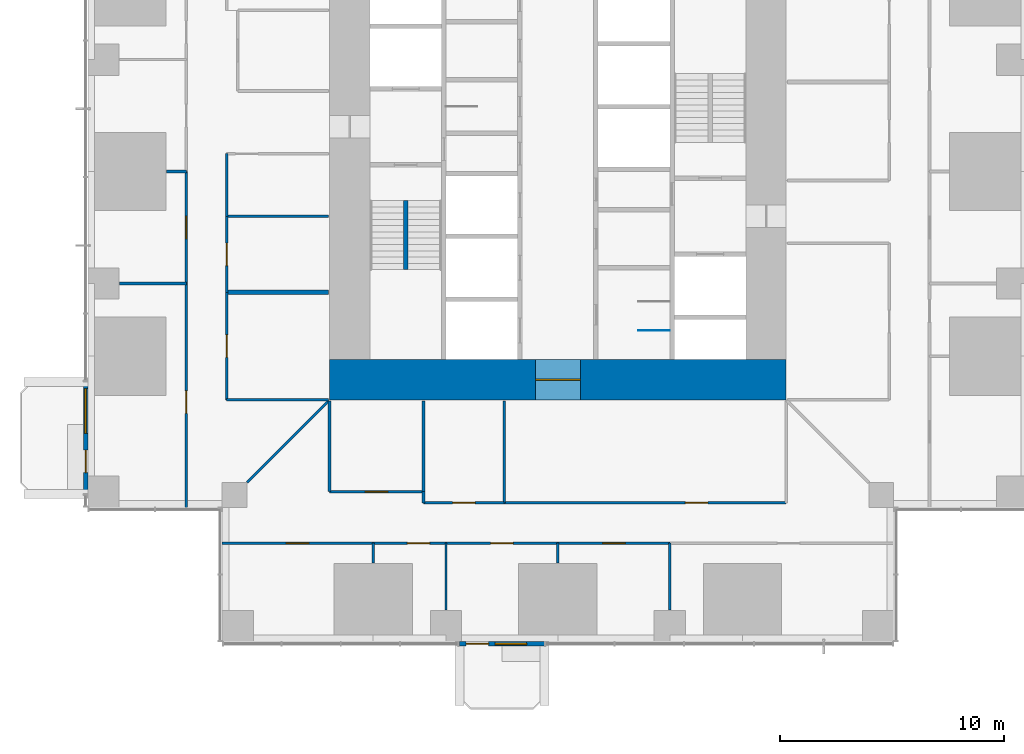
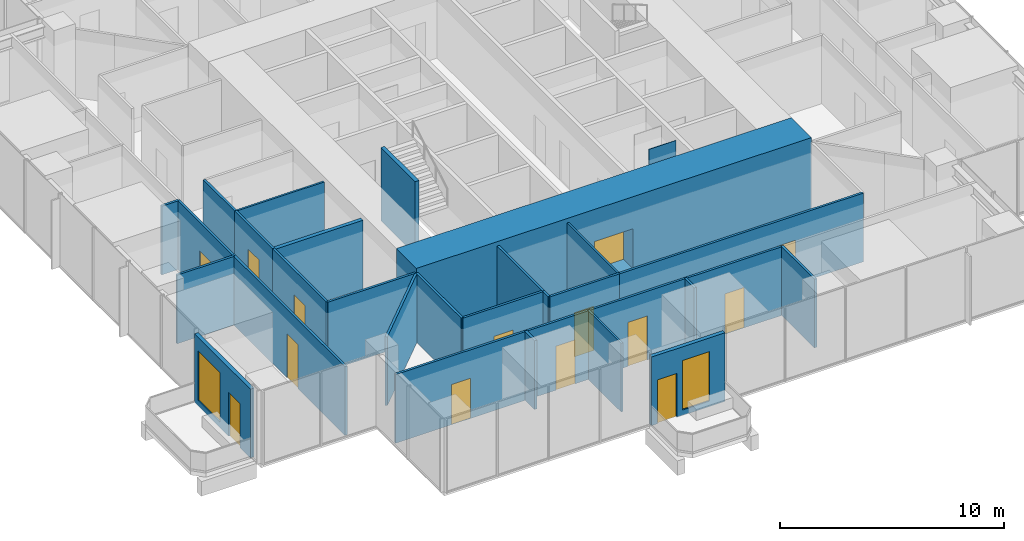
# One storey, part 11 of 18: 31 walls, 14 doors, 2 windows, 16 openings.
"""IFC4 building model written with IfcOpenShell, lengths in metres."""

from ifc_helpers import new_model, si_unit, direction, frame, frame_2d, origin, place, context, subcontext, project, spatial, rectangle, extrude, material, layer, layer_set, type_object, element, fill, save


model = new_model("IFC4")

# Units and contexts
model_context = context("Model", 3, precision=1e-05, world=origin(), true_north=direction((0.0, 1.0)))
body_context = subcontext(model_context, "Body", "Model", "MODEL_VIEW")
ifc_project = project(units=[si_unit("LENGTHUNIT", "METRE"), si_unit("AREAUNIT", "SQUARE_METRE"), si_unit("VOLUMEUNIT", "CUBIC_METRE"), si_unit("PLANEANGLEUNIT", "RADIAN"), si_unit("MASSUNIT", "GRAM", prefix="KILO")], contexts=[model_context])

# Site, building, storey
site_placement = place(None, origin())
site = spatial("IfcSite", under=ifc_project, at=site_placement, CompositionType="ELEMENT")
building_placement = place(site_placement, origin())
building = spatial("IfcBuilding", under=site, at=building_placement, Name="Svetlomir Tower", CompositionType="ELEMENT")
storey_placement = place(building_placement, frame((0.0, 0.0, 78.5)))
storey = spatial("IfcBuildingStorey", under=building, at=storey_placement, Name="L18", CompositionType="ELEMENT", Elevation=78.5)

# Wall
ifc_material_1 = material(Name="Gypsum board on twin steel studs", Category="steel")
ifc_layer_1 = layer(ifc_material_1, 0.199951171875)
ifc_layer_set_1 = layer_set([ifc_layer_1], Name="Gypsum board on twin steel studs")
wall_type_1 = type_object("IfcWallType", Name="ACOUSTIC PARTITION 200", PredefinedType="PARTITIONING", material=ifc_layer_set_1)
wall_1_placement = place(storey_placement, frame((6.199951171875, 15.60009765625, 0.0), z_axis=(0.0, 0.0, 1.0), x_axis=(1.0, 0.0, 0.0)))
element("IfcWall", 1, at=wall_1_placement, inside=storey, type_object=wall_type_1, Name="Acoustic partition L18", PredefinedType="PARTITIONING", context=body_context, shape_type="SweptSolid", body=[
    extrude(rectangle(XDim=4.550048828125, YDim=0.199951171875, at=frame_2d((2.27490234375, 0.0))), origin(), (0.0, 0.0, 1.0), 3.75),
])

# Wall, openings, door, window
ifc_material_2 = material(Name="Bronze anodised aluminium glazed screen", Category="aluminium")
ifc_layer_2 = layer(ifc_material_2, 0.199951171875)
ifc_layer_set_2 = layer_set([ifc_layer_2], Name="Bronze anodised aluminium glazed screen")
wall_type_2 = type_object("IfcWallType", Name="BALCONY SCREEN WALL 200", PredefinedType="USERDEFINED", material=ifc_layer_set_2)
wall_2_placement = place(storey_placement, frame((16.60009765625, -0.10009765625, 0.0), z_axis=(0.0, 0.0, 1.0), x_axis=(1.0, 0.0, 0.0)))
wall_2 = element("IfcWall", 2, at=wall_2_placement, inside=storey, type_object=wall_type_2, Name="Balcony screen S", ObjectType="GLAZED SCREEN", PredefinedType="USERDEFINED", context=body_context, shape_type="SweptSolid", body=[
    extrude(rectangle(XDim=3.7998046875, YDim=0.199951171875, at=frame_2d((1.89990234375, 0.0))), origin(), (0.0, 0.0, 1.0), 3.75),
])
opening_1_placement = place(wall_2_placement, frame((0.300048828125, 0.0, 0.0)))
opening_1 = element("IfcOpeningElement", 3, at=opening_1_placement, cuts=wall_2, Name="Opening BD", PredefinedType="OPENING", context=body_context, shape_type="SweptSolid", body=[
    extrude(rectangle(XDim=1.0, YDim=2.39990234375, at=frame_2d((0.5, 1.199951171875))), frame((0.0, 0.10986328125, 0.0), z_axis=(0.0, -1.0, 0.0), x_axis=(1.0, 0.0, 0.0)), (0.0, 0.0, 1.0), 0.219970703125),
])
opening_2_placement = place(wall_2_placement, frame((1.60009765625, 0.0, 0.300048828125)))
opening_2 = element("IfcOpeningElement", 4, at=opening_2_placement, cuts=wall_2, Name="Opening WS2", PredefinedType="OPENING", context=body_context, shape_type="SweptSolid", body=[
    extrude(rectangle(XDim=1.39990234375, YDim=2.699951171875, at=frame_2d((0.699951171875, 1.35009765625))), frame((0.0, 0.10986328125, 0.0), z_axis=(0.0, -1.0, 0.0), x_axis=(1.0, 0.0, 0.0)), (0.0, 0.0, 1.0), 0.219970703125),
])
ifc_material_3 = material(Name="Bronze anodised aluminium glazed door", Category="aluminium")
door_type_1 = type_object("IfcDoorType", Name="BALCONY DOOR BD 1000x2400", OperationType="SINGLE_SWING_LEFT", PredefinedType="DOOR", material=ifc_material_3)
door_1_placement = place(opening_1_placement, origin())
door_1 = element("IfcDoor", 5, at=door_1_placement, inside=storey, type_object=door_type_1, Name="Balcony screen S door", OperationType="SINGLE_SWING_LEFT", OverallHeight=2.39990234375, OverallWidth=1.0, PredefinedType="DOOR", context=body_context, shape_type="SweptSolid", body=[
    extrude(rectangle(XDim=1.0, YDim=2.39990234375, at=frame_2d((0.5, 1.199951171875))), frame((0.0, 0.02490234375, 0.0), z_axis=(0.0, -1.0, 0.0), x_axis=(1.0, 0.0, 0.0)), (0.0, 0.0, 1.0), 0.050048828125),
])
fill(opening_1, door_1)
ifc_material_4 = material(Name="Bronze anodised aluminium window", Category="aluminium")
window_type_1 = type_object("IfcWindowType", Name="SCREEN WINDOW WS2 1400x2700", PartitioningType="SINGLE_PANEL", PredefinedType="WINDOW", material=ifc_material_4)
window_1_placement = place(opening_2_placement, origin())
window_1 = element("IfcWindow", 6, at=window_1_placement, inside=storey, type_object=window_type_1, Name="Balcony screen S window 1", OverallHeight=2.699951171875, OverallWidth=1.39990234375, PartitioningType="SINGLE_PANEL", PredefinedType="WINDOW", context=body_context, shape_type="SweptSolid", body=[
    extrude(rectangle(XDim=1.39990234375, YDim=2.699951171875, at=frame_2d((0.699951171875, 1.35009765625))), frame((0.0, 0.030029296875, 0.0), z_axis=(0.0, -1.0, 0.0), x_axis=(1.0, 0.0, 0.0)), (0.0, 0.0, 1.0), 0.06005859375),
])
fill(opening_2, window_1)

wall_3_placement = place(storey_placement, frame((-0.10009765625, 11.60009765625, 0.0), z_axis=(0.0, 0.0, 1.0), x_axis=(0.0, -1.0, 0.0)))
wall_3 = element("IfcWall", 7, at=wall_3_placement, inside=storey, type_object=wall_type_2, Name="Balcony screen W", ObjectType="GLAZED SCREEN", PredefinedType="USERDEFINED", context=body_context, shape_type="SweptSolid", body=[
    extrude(rectangle(XDim=5.0, YDim=0.199951171875, at=frame_2d((2.5, 0.0))), origin(), (0.0, 0.0, 1.0), 3.75),
])
opening_3_placement = place(wall_3_placement, frame((3.050048828125, 0.0, 0.0)))
opening_3 = element("IfcOpeningElement", 8, at=opening_3_placement, cuts=wall_3, Name="Opening BD", PredefinedType="OPENING", context=body_context, shape_type="SweptSolid", body=[
    extrude(rectangle(XDim=1.0, YDim=2.39990234375, at=frame_2d((0.5, 1.199951171875))), frame((0.0, 0.10986328125, 0.0), z_axis=(0.0, -1.0, 0.0), x_axis=(1.0, 0.0, 0.0)), (0.0, 0.0, 1.0), 0.219970703125),
])
opening_4_placement = place(wall_3_placement, frame((0.300048828125, 0.0, 0.300048828125)))
opening_4 = element("IfcOpeningElement", 9, at=opening_4_placement, cuts=wall_3, Name="Opening WS", PredefinedType="OPENING", context=body_context, shape_type="SweptSolid", body=[
    extrude(rectangle(XDim=2.0, YDim=2.699951171875, at=frame_2d((1.0, 1.35009765625))), frame((0.0, 0.10986328125, 0.0), z_axis=(0.0, -1.0, 0.0), x_axis=(1.0, 0.0, 0.0)), (0.0, 0.0, 1.0), 0.219970703125),
])
door_2_placement = place(opening_3_placement, origin())
door_2 = element("IfcDoor", 10, at=door_2_placement, inside=storey, type_object=door_type_1, Name="Balcony screen W door", OperationType="SINGLE_SWING_LEFT", OverallHeight=2.39990234375, OverallWidth=1.0, PredefinedType="DOOR", context=body_context, shape_type="SweptSolid", body=[
    extrude(rectangle(XDim=1.0, YDim=2.39990234375, at=frame_2d((0.5, 1.199951171875))), frame((0.0, 0.02490234375, 0.0), z_axis=(0.0, -1.0, 0.0), x_axis=(1.0, 0.0, 0.0)), (0.0, 0.0, 1.0), 0.050048828125),
])
fill(opening_3, door_2)
ifc_material_5 = material(Name="Bronze anodised aluminium window", Category="aluminium")
window_type_2 = type_object("IfcWindowType", Name="SCREEN WINDOW WS 2000x2700", PartitioningType="SINGLE_PANEL", PredefinedType="WINDOW", material=ifc_material_5)
window_2_placement = place(opening_4_placement, origin())
window_2 = element("IfcWindow", 11, at=window_2_placement, inside=storey, type_object=window_type_2, Name="Balcony screen W window 1", OverallHeight=2.699951171875, OverallWidth=2.0, PartitioningType="SINGLE_PANEL", PredefinedType="WINDOW", context=body_context, shape_type="SweptSolid", body=[
    extrude(rectangle(XDim=2.0, YDim=2.699951171875, at=frame_2d((1.0, 1.35009765625))), frame((0.0, 0.030029296875, 0.0), z_axis=(0.0, -1.0, 0.0), x_axis=(1.0, 0.0, 0.0)), (0.0, 0.0, 1.0), 0.06005859375),
])
fill(opening_4, window_2)

# Wall, opening, door
ifc_material_6 = material(Name="Concrete C60/75", Category="concrete")
ifc_layer_3 = layer(ifc_material_6, 1.800048828125)
ifc_layer_set_3 = layer_set([ifc_layer_3], Name="Concrete C60/75")
wall_type_3 = type_object("IfcWallType", Name="CORE WALL 1800", PredefinedType="SHEAR", material=ifc_layer_set_3)
wall_4_placement = place(storey_placement, frame((10.800048828125, 11.699951171875, -0.050048828125), z_axis=(0.0, 0.0, 1.0), x_axis=(1.0, 0.0, 0.0)))
wall_4 = element("IfcWall", 12, at=wall_4_placement, inside=storey, type_object=wall_type_3, Name="Core wall south L18", PredefinedType="SHEAR", context=body_context, shape_type="SweptSolid", body=[
    extrude(rectangle(XDim=20.39990234375, YDim=1.800048828125, at=frame_2d((10.199951171875, 0.0))), origin(), (0.0, 0.0, 1.0), 4.0),
])
opening_5_placement = place(wall_4_placement, frame((9.199951171875, 0.0, 0.050048828125)))
opening_5 = element("IfcOpeningElement", 13, at=opening_5_placement, cuts=wall_4, Name="Opening DL", PredefinedType="OPENING", context=body_context, shape_type="SweptSolid", body=[
    extrude(rectangle(XDim=2.0, YDim=2.199951171875, at=frame_2d((1.0, 1.10009765625))), frame((0.0, 0.91015625, 0.0), z_axis=(0.0, -1.0, 0.0), x_axis=(1.0, 0.0, 0.0)), (0.0, 0.0, 1.0), 1.820068359375),
])
ifc_material_7 = material(Name="Steel fire door", Category="steel")
door_type_2 = type_object("IfcDoorType", Name="DOOR DL 2000x2200", OperationType="DOUBLE_DOOR_SINGLE_SWING", PredefinedType="DOOR", material=ifc_material_7)
door_3_placement = place(opening_5_placement, origin())
door_3 = element("IfcDoor", 14, at=door_3_placement, inside=storey, type_object=door_type_2, Name="Lift lobby south door L18", OperationType="DOUBLE_DOOR_SINGLE_SWING", OverallHeight=2.199951171875, OverallWidth=2.0, PredefinedType="DOOR", context=body_context, shape_type="SweptSolid", body=[
    extrude(rectangle(XDim=2.0, YDim=2.199951171875, at=frame_2d((1.0, 1.10009765625))), frame((0.0, 0.02490234375, 0.0), z_axis=(0.0, -1.0, 0.0), x_axis=(1.0, 0.0, 0.0)), (0.0, 0.0, 1.0), 0.050048828125),
])
fill(opening_5, door_3)

# Walls
ifc_material_8 = material(Name="Framed laminated glass partition", Category="glass")
ifc_layer_4 = layer(ifc_material_8, 0.10009765625)
ifc_layer_set_4 = layer_set([ifc_layer_4], Name="Framed laminated glass partition")
wall_type_4 = type_object("IfcWallType", Name="GLAZED PARTITION 100", PredefinedType="PARTITIONING", material=ifc_layer_set_4)
wall_5_placement = place(storey_placement, frame((6.199951171875, 19.0, 0.0), z_axis=(0.0, 0.0, 1.0), x_axis=(1.0, 0.0, 0.0)))
element("IfcWall", 15, at=wall_5_placement, inside=storey, type_object=wall_type_4, Name="Glazed partition L18", PredefinedType="PARTITIONING", context=body_context, shape_type="SweptSolid", body=[
    extrude(rectangle(XDim=4.550048828125, YDim=0.10009765625, at=frame_2d((2.27490234375, 0.0))), origin(), (0.0, 0.0, 1.0), 3.75),
])
wall_6_placement = place(storey_placement, frame((16.0, 1.409912109375, 0.0), z_axis=(0.0, 0.0, 1.0), x_axis=(0.0, 1.0, 0.0)))
element("IfcWall", 16, at=wall_6_placement, inside=storey, type_object=wall_type_4, Name="Glazed partition L18", PredefinedType="PARTITIONING", context=body_context, shape_type="SweptSolid", body=[
    extrude(rectangle(XDim=2.989990234375, YDim=0.10009765625, at=frame_2d((1.4951171875, 0.0))), origin(), (0.0, 0.0, 1.0), 3.75),
])
wall_7_placement = place(storey_placement, frame((18.60009765625, 6.199951171875, 0.0), z_axis=(0.0, 0.0, 1.0), x_axis=(0.0, 1.0, 0.0)))
element("IfcWall", 17, at=wall_7_placement, inside=storey, type_object=wall_type_4, Name="Glazed partition L18", PredefinedType="PARTITIONING", context=body_context, shape_type="SweptSolid", body=[
    extrude(rectangle(XDim=4.550048828125, YDim=0.10009765625, at=frame_2d((2.27490234375, 0.0))), origin(), (0.0, 0.0, 1.0), 3.75),
])
ifc_material_9 = material(Name="Gypsum board on steel studs", Category="steel")
ifc_layer_5 = layer(ifc_material_9, 0.1201171875)
ifc_layer_set_5 = layer_set([ifc_layer_5], Name="Gypsum board on steel studs")
wall_type_5 = type_object("IfcWallType", Name="PARTITION 120", PredefinedType="PARTITIONING", material=ifc_layer_set_5)
wall_8_placement = place(storey_placement, frame((1.409912109375, 16.0, 0.0), z_axis=(0.0, 0.0, 1.0), x_axis=(1.0, 0.0, 0.0)))
element("IfcWall", 18, at=wall_8_placement, inside=storey, type_object=wall_type_5, Name="Partition L18", PredefinedType="PARTITIONING", context=body_context, shape_type="SweptSolid", body=[
    extrude(rectangle(XDim=2.989990234375, YDim=0.1201171875, at=frame_2d((1.4951171875, 0.0))), origin(), (0.0, 0.0, 1.0), 3.75),
])
wall_9_placement = place(storey_placement, frame((3.510009765625, 21.0, 0.0), z_axis=(0.0, 0.0, 1.0), x_axis=(1.0, 0.0, 0.0)))
element("IfcWall", 19, at=wall_9_placement, inside=storey, type_object=wall_type_5, Name="Partition L18", PredefinedType="PARTITIONING", context=body_context, shape_type="SweptSolid", body=[
    extrude(rectangle(XDim=0.889892578125, YDim=0.1201171875, at=frame_2d((0.44482421875, 0.0))), origin(), (0.0, 0.0, 1.0), 3.75),
])

# Wall, opening, door
wall_10_placement = place(storey_placement, frame((4.39990234375, 6.0, 0.0), z_axis=(0.0, 0.0, 1.0), x_axis=(0.0, 1.0, 0.0)))
wall_10 = element("IfcWall", 20, at=wall_10_placement, inside=storey, type_object=wall_type_5, Name="Partition L18", PredefinedType="PARTITIONING", context=body_context, shape_type="SweptSolid", body=[
    extrude(rectangle(XDim=10.0, YDim=0.1201171875, at=frame_2d((5.0, 0.0))), origin(), (0.0, 0.0, 1.0), 3.75),
])
opening_6_placement = place(wall_10_placement, frame((4.199951171875, 0.0, 0.0)))
opening_6 = element("IfcOpeningElement", 21, at=opening_6_placement, cuts=wall_10, Name="Opening DG", PredefinedType="OPENING", context=body_context, shape_type="SweptSolid", body=[
    extrude(rectangle(XDim=1.0, YDim=2.39990234375, at=frame_2d((0.5, 1.199951171875))), frame((0.0, 0.070068359375, 0.0), z_axis=(0.0, -1.0, 0.0), x_axis=(1.0, 0.0, 0.0)), (0.0, 0.0, 1.0), 0.14013671875),
])
ifc_material_10 = material(Name="Framed laminated glass door", Category="glass")
door_type_3 = type_object("IfcDoorType", Name="GLAZED DOOR DG 1000x2400", OperationType="SINGLE_SWING_LEFT", PredefinedType="DOOR", material=ifc_material_10)
door_4_placement = place(opening_6_placement, origin())
door_4 = element("IfcDoor", 22, at=door_4_placement, inside=storey, type_object=door_type_3, Name="Ring corridor 3 door 1 L18", OperationType="SINGLE_SWING_LEFT", OverallHeight=2.39990234375, OverallWidth=1.0, PredefinedType="DOOR", context=body_context, shape_type="SweptSolid", body=[
    extrude(rectangle(XDim=1.0, YDim=2.39990234375, at=frame_2d((0.5, 1.199951171875))), frame((0.0, 0.02490234375, 0.0), z_axis=(0.0, -1.0, 0.0), x_axis=(1.0, 0.0, 0.0)), (0.0, 0.0, 1.0), 0.050048828125),
])
fill(opening_6, door_4)

wall_11_placement = place(storey_placement, frame((4.39990234375, 16.0, 0.0), z_axis=(0.0, 0.0, 1.0), x_axis=(0.0, 1.0, 0.0)))
wall_11 = element("IfcWall", 23, at=wall_11_placement, inside=storey, type_object=wall_type_5, Name="Partition L18", PredefinedType="PARTITIONING", context=body_context, shape_type="SweptSolid", body=[
    extrude(rectangle(XDim=5.0, YDim=0.1201171875, at=frame_2d((2.5, 0.0))), origin(), (0.0, 0.0, 1.0), 3.75),
])
opening_7_placement = place(wall_11_placement, frame((2.0, 0.0, 0.0)))
opening_7 = element("IfcOpeningElement", 24, at=opening_7_placement, cuts=wall_11, Name="Opening DR", PredefinedType="OPENING", context=body_context, shape_type="SweptSolid", body=[
    extrude(rectangle(XDim=1.0, YDim=2.199951171875, at=frame_2d((0.5, 1.10009765625))), frame((0.0, 0.070068359375, 0.0), z_axis=(0.0, -1.0, 0.0), x_axis=(1.0, 0.0, 0.0)), (0.0, 0.0, 1.0), 0.14013671875),
])
ifc_material_11 = material(Name="Timber door, glazed side light", Category="wood")
door_type_4 = type_object("IfcDoorType", Name="DOOR DR 1000x2200", OperationType="SINGLE_SWING_LEFT", PredefinedType="DOOR", material=ifc_material_11)
door_5_placement = place(opening_7_placement, origin())
door_5 = element("IfcDoor", 25, at=door_5_placement, inside=storey, type_object=door_type_4, Name="Investigations office door L18", OperationType="SINGLE_SWING_RIGHT", OverallHeight=2.199951171875, OverallWidth=1.0, PredefinedType="DOOR", context=body_context, shape_type="SweptSolid", body=[
    extrude(rectangle(XDim=1.0, YDim=2.199951171875, at=frame_2d((0.5, 1.10009765625))), frame((0.0, 0.02490234375, 0.0), z_axis=(0.0, -1.0, 0.0), x_axis=(1.0, 0.0, 0.0)), (0.0, 0.0, 1.0), 0.050048828125),
])
fill(opening_7, door_5)

wall_12_placement = place(storey_placement, frame((6.0, 4.39990234375, 0.0), z_axis=(0.0, 0.0, 1.0), x_axis=(1.0, 0.0, 0.0)))
wall_12 = element("IfcWall", 26, at=wall_12_placement, inside=storey, type_object=wall_type_5, Name="Partition L18", PredefinedType="PARTITIONING", context=body_context, shape_type="SweptSolid", body=[
    extrude(rectangle(XDim=6.75, YDim=0.1201171875, at=frame_2d((3.375, 0.0))), origin(), (0.0, 0.0, 1.0), 3.75),
])
opening_8_placement = place(wall_12_placement, frame((2.875, 0.0, 0.0)))
opening_8 = element("IfcOpeningElement", 27, at=opening_8_placement, cuts=wall_12, Name="Opening DR", PredefinedType="OPENING", context=body_context, shape_type="SweptSolid", body=[
    extrude(rectangle(XDim=1.0, YDim=2.199951171875, at=frame_2d((0.5, 1.10009765625))), frame((0.0, 0.070068359375, 0.0), z_axis=(0.0, -1.0, 0.0), x_axis=(1.0, 0.0, 0.0)), (0.0, 0.0, 1.0), 0.14013671875),
])
door_6_placement = place(opening_8_placement, origin())
door_6 = element("IfcDoor", 28, at=door_6_placement, inside=storey, type_object=door_type_4, Name="Audit manager office door L18", OperationType="SINGLE_SWING_RIGHT", OverallHeight=2.199951171875, OverallWidth=1.0, PredefinedType="DOOR", context=body_context, shape_type="SweptSolid", body=[
    extrude(rectangle(XDim=1.0, YDim=2.199951171875, at=frame_2d((0.5, 1.10009765625))), frame((0.0, 0.02490234375, 0.0), z_axis=(0.0, -1.0, 0.0), x_axis=(1.0, 0.0, 0.0)), (0.0, 0.0, 1.0), 0.050048828125),
])
fill(opening_8, door_6)

wall_13_placement = place(storey_placement, frame((6.199951171875, 10.800048828125, 0.0), z_axis=(0.0, 0.0, 1.0), x_axis=(0.0, 1.0, 0.0)))
wall_13 = element("IfcWall", 29, at=wall_13_placement, inside=storey, type_object=wall_type_5, Name="Partition L18", PredefinedType="PARTITIONING", context=body_context, shape_type="SweptSolid", body=[
    extrude(rectangle(XDim=4.800048828125, YDim=0.1201171875, at=frame_2d((2.39990234375, 0.0))), origin(), (0.0, 0.0, 1.0), 3.75),
])
opening_9_placement = place(wall_13_placement, frame((1.89990234375, 0.0, 0.0)))
opening_9 = element("IfcOpeningElement", 30, at=opening_9_placement, cuts=wall_13, Name="Opening DG", PredefinedType="OPENING", context=body_context, shape_type="SweptSolid", body=[
    extrude(rectangle(XDim=1.0, YDim=2.39990234375, at=frame_2d((0.5, 1.199951171875))), frame((0.0, 0.070068359375, 0.0), z_axis=(0.0, -1.0, 0.0), x_axis=(1.0, 0.0, 0.0)), (0.0, 0.0, 1.0), 0.14013671875),
])
door_7_placement = place(opening_9_placement, origin())
door_7 = element("IfcDoor", 31, at=door_7_placement, inside=storey, type_object=door_type_3, Name="Meeting room, 4 seats door L18", OperationType="SINGLE_SWING_RIGHT", OverallHeight=2.39990234375, OverallWidth=1.0, PredefinedType="DOOR", context=body_context, shape_type="SweptSolid", body=[
    extrude(rectangle(XDim=1.0, YDim=2.39990234375, at=frame_2d((0.5, 1.199951171875))), frame((0.0, 0.02490234375, 0.0), z_axis=(0.0, -1.0, 0.0), x_axis=(1.0, 0.0, 0.0)), (0.0, 0.0, 1.0), 0.050048828125),
])
fill(opening_9, door_7)

# Wall
wall_14_placement = place(storey_placement, frame((6.199951171875, 10.800048828125, 0.0), z_axis=(0.0, 0.0, 1.0), x_axis=(1.0, 0.0, 0.0)))
element("IfcWall", 32, at=wall_14_placement, inside=storey, type_object=wall_type_5, Name="Partition L18", PredefinedType="PARTITIONING", context=body_context, shape_type="SweptSolid", body=[
    extrude(rectangle(XDim=4.550048828125, YDim=0.1201171875, at=frame_2d((2.27490234375, 0.0))), origin(), (0.0, 0.0, 1.0), 3.75),
])

# Wall, opening, door
wall_15_placement = place(storey_placement, frame((6.199951171875, 15.60009765625, 0.0), z_axis=(0.0, 0.0, 1.0), x_axis=(0.0, 1.0, 0.0)))
wall_15 = element("IfcWall", 33, at=wall_15_placement, inside=storey, type_object=wall_type_5, Name="Partition L18", PredefinedType="PARTITIONING", context=body_context, shape_type="SweptSolid", body=[
    extrude(rectangle(XDim=3.39990234375, YDim=0.1201171875, at=frame_2d((1.699951171875, 0.0))), origin(), (0.0, 0.0, 1.0), 3.75),
])
opening_10_placement = place(wall_15_placement, frame((1.199951171875, 0.0, 0.0)))
opening_10 = element("IfcOpeningElement", 34, at=opening_10_placement, cuts=wall_15, Name="Opening DG", PredefinedType="OPENING", context=body_context, shape_type="SweptSolid", body=[
    extrude(rectangle(XDim=1.0, YDim=2.39990234375, at=frame_2d((0.5, 1.199951171875))), frame((0.0, 0.070068359375, 0.0), z_axis=(0.0, -1.0, 0.0), x_axis=(1.0, 0.0, 0.0)), (0.0, 0.0, 1.0), 0.14013671875),
])
door_8_placement = place(opening_10_placement, origin())
door_8 = element("IfcDoor", 35, at=door_8_placement, inside=storey, type_object=door_type_3, Name="Investigations interview room door L18", OperationType="SINGLE_SWING_LEFT", OverallHeight=2.39990234375, OverallWidth=1.0, PredefinedType="DOOR", context=body_context, shape_type="SweptSolid", body=[
    extrude(rectangle(XDim=1.0, YDim=2.39990234375, at=frame_2d((0.5, 1.199951171875))), frame((0.0, 0.02490234375, 0.0), z_axis=(0.0, -1.0, 0.0), x_axis=(1.0, 0.0, 0.0)), (0.0, 0.0, 1.0), 0.050048828125),
])
fill(opening_10, door_8)

# Walls
wall_16_placement = place(storey_placement, frame((6.199951171875, 19.0, 0.0), z_axis=(0.0, 0.0, 1.0), x_axis=(0.0, 1.0, 0.0)))
element("IfcWall", 36, at=wall_16_placement, inside=storey, type_object=wall_type_5, Name="Partition L18", PredefinedType="PARTITIONING", context=body_context, shape_type="SweptSolid", body=[
    extrude(rectangle(XDim=2.800048828125, YDim=0.1201171875, at=frame_2d((1.39990234375, 0.0))), origin(), (0.0, 0.0, 1.0), 3.75),
])
wall_17_placement = place(storey_placement, frame((7.110107421875, 7.110107421875, 0.0), z_axis=(0.0, 0.0, 1.0), x_axis=(0.707106781187, 0.707106781187, 0.0)))
element("IfcWall", 37, at=wall_17_placement, inside=storey, type_object=wall_type_5, Name="Partition L18", PredefinedType="PARTITIONING", context=body_context, shape_type="SweptSolid", body=[
    extrude(rectangle(XDim=5.168212890625, YDim=0.1201171875, at=frame_2d((2.583984375, 0.0))), origin(), (0.0, 0.0, 1.0), 3.75),
])
wall_18_placement = place(storey_placement, frame((10.800048828125, 6.699951171875, 0.0), z_axis=(0.0, 0.0, 1.0), x_axis=(0.0, 1.0, 0.0)))
element("IfcWall", 38, at=wall_18_placement, inside=storey, type_object=wall_type_5, Name="Partition L18", PredefinedType="PARTITIONING", context=body_context, shape_type="SweptSolid", body=[
    extrude(rectangle(XDim=4.050048828125, YDim=0.1201171875, at=frame_2d((2.02490234375, 0.0))), origin(), (0.0, 0.0, 1.0), 3.75),
])

# Wall, opening, door
wall_19_placement = place(storey_placement, frame((10.800048828125, 6.699951171875, 0.0), z_axis=(0.0, 0.0, 1.0), x_axis=(1.0, 0.0, 0.0)))
wall_19 = element("IfcWall", 39, at=wall_19_placement, inside=storey, type_object=wall_type_5, Name="Partition L18", PredefinedType="PARTITIONING", context=body_context, shape_type="SweptSolid", body=[
    extrude(rectangle(XDim=4.199951171875, YDim=0.1201171875, at=frame_2d((2.10009765625, 0.0))), origin(), (0.0, 0.0, 1.0), 3.75),
])
opening_11_placement = place(wall_19_placement, frame((1.60009765625, 0.0, 0.0)))
opening_11 = element("IfcOpeningElement", 40, at=opening_11_placement, cuts=wall_19, Name="Opening DR", PredefinedType="OPENING", context=body_context, shape_type="SweptSolid", body=[
    extrude(rectangle(XDim=1.0, YDim=2.199951171875, at=frame_2d((0.5, 1.10009765625))), frame((0.0, 0.070068359375, 0.0), z_axis=(0.0, -1.0, 0.0), x_axis=(1.0, 0.0, 0.0)), (0.0, 0.0, 1.0), 0.14013671875),
])
door_9_placement = place(opening_11_placement, origin())
door_9 = element("IfcDoor", 41, at=door_9_placement, inside=storey, type_object=door_type_4, Name="Audit file room door L18", OperationType="SINGLE_SWING_RIGHT", OverallHeight=2.199951171875, OverallWidth=1.0, PredefinedType="DOOR", context=body_context, shape_type="SweptSolid", body=[
    extrude(rectangle(XDim=1.0, YDim=2.199951171875, at=frame_2d((0.5, 1.10009765625))), frame((0.0, 0.02490234375, 0.0), z_axis=(0.0, -1.0, 0.0), x_axis=(1.0, 0.0, 0.0)), (0.0, 0.0, 1.0), 0.050048828125),
])
fill(opening_11, door_9)

# Wall
wall_20_placement = place(storey_placement, frame((12.75, 3.510009765625, 0.0), z_axis=(0.0, 0.0, 1.0), x_axis=(0.0, 1.0, 0.0)))
element("IfcWall", 42, at=wall_20_placement, inside=storey, type_object=wall_type_5, Name="Partition L18", PredefinedType="PARTITIONING", context=body_context, shape_type="SweptSolid", body=[
    extrude(rectangle(XDim=0.889892578125, YDim=0.1201171875, at=frame_2d((0.44482421875, 0.0))), origin(), (0.0, 0.0, 1.0), 3.75),
])

# Wall, opening, door
wall_21_placement = place(storey_placement, frame((12.75, 4.39990234375, 0.0), z_axis=(0.0, 0.0, 1.0), x_axis=(1.0, 0.0, 0.0)))
wall_21 = element("IfcWall", 43, at=wall_21_placement, inside=storey, type_object=wall_type_5, Name="Partition L18", PredefinedType="PARTITIONING", context=body_context, shape_type="SweptSolid", body=[
    extrude(rectangle(XDim=3.25, YDim=0.1201171875, at=frame_2d((1.625, 0.0))), origin(), (0.0, 0.0, 1.0), 3.75),
])
opening_12_placement = place(wall_21_placement, frame((1.52490234375, 0.0, 0.0)))
opening_12 = element("IfcOpeningElement", 44, at=opening_12_placement, cuts=wall_21, Name="Opening DG", PredefinedType="OPENING", context=body_context, shape_type="SweptSolid", body=[
    extrude(rectangle(XDim=1.0, YDim=2.39990234375, at=frame_2d((0.5, 1.199951171875))), frame((0.0, 0.070068359375, 0.0), z_axis=(0.0, -1.0, 0.0), x_axis=(1.0, 0.0, 0.0)), (0.0, 0.0, 1.0), 0.14013671875),
])
door_10_placement = place(opening_12_placement, origin())
door_10 = element("IfcDoor", 45, at=door_10_placement, inside=storey, type_object=door_type_3, Name="Ring corridor 1 door 1 L18", OperationType="SINGLE_SWING_RIGHT", OverallHeight=2.39990234375, OverallWidth=1.0, PredefinedType="DOOR", context=body_context, shape_type="SweptSolid", body=[
    extrude(rectangle(XDim=1.0, YDim=2.39990234375, at=frame_2d((0.5, 1.199951171875))), frame((0.0, 0.02490234375, 0.0), z_axis=(0.0, -1.0, 0.0), x_axis=(1.0, 0.0, 0.0)), (0.0, 0.0, 1.0), 0.050048828125),
])
fill(opening_12, door_10)

# Wall
wall_22_placement = place(storey_placement, frame((15.0, 6.199951171875, 0.0), z_axis=(0.0, 0.0, 1.0), x_axis=(0.0, 1.0, 0.0)))
element("IfcWall", 46, at=wall_22_placement, inside=storey, type_object=wall_type_5, Name="Partition L18", PredefinedType="PARTITIONING", context=body_context, shape_type="SweptSolid", body=[
    extrude(rectangle(XDim=0.5, YDim=0.1201171875, at=frame_2d((0.25, 0.0))), origin(), (0.0, 0.0, 1.0), 3.75),
])

# Wall, opening, door
wall_23_placement = place(storey_placement, frame((15.0, 6.199951171875, 0.0), z_axis=(0.0, 0.0, 1.0), x_axis=(1.0, 0.0, 0.0)))
wall_23 = element("IfcWall", 47, at=wall_23_placement, inside=storey, type_object=wall_type_5, Name="Partition L18", PredefinedType="PARTITIONING", context=body_context, shape_type="SweptSolid", body=[
    extrude(rectangle(XDim=3.60009765625, YDim=0.1201171875, at=frame_2d((1.800048828125, 0.0))), origin(), (0.0, 0.0, 1.0), 3.75),
])
opening_13_placement = place(wall_23_placement, frame((1.300048828125, 0.0, 0.0)))
opening_13 = element("IfcOpeningElement", 48, at=opening_13_placement, cuts=wall_23, Name="Opening DG", PredefinedType="OPENING", context=body_context, shape_type="SweptSolid", body=[
    extrude(rectangle(XDim=1.0, YDim=2.39990234375, at=frame_2d((0.5, 1.199951171875))), frame((0.0, 0.070068359375, 0.0), z_axis=(0.0, -1.0, 0.0), x_axis=(1.0, 0.0, 0.0)), (0.0, 0.0, 1.0), 0.14013671875),
])
door_11_placement = place(opening_13_placement, origin())
door_11 = element("IfcDoor", 49, at=door_11_placement, inside=storey, type_object=door_type_3, Name="Secure interview room door L18", OperationType="SINGLE_SWING_LEFT", OverallHeight=2.39990234375, OverallWidth=1.0, PredefinedType="DOOR", context=body_context, shape_type="SweptSolid", body=[
    extrude(rectangle(XDim=1.0, YDim=2.39990234375, at=frame_2d((0.5, 1.199951171875))), frame((0.0, 0.02490234375, 0.0), z_axis=(0.0, -1.0, 0.0), x_axis=(1.0, 0.0, 0.0)), (0.0, 0.0, 1.0), 0.050048828125),
])
fill(opening_13, door_11)

# Wall
wall_24_placement = place(storey_placement, frame((15.0, 6.699951171875, 0.0), z_axis=(0.0, 0.0, 1.0), x_axis=(0.0, 1.0, 0.0)))
element("IfcWall", 50, at=wall_24_placement, inside=storey, type_object=wall_type_5, Name="Partition L18", PredefinedType="PARTITIONING", context=body_context, shape_type="SweptSolid", body=[
    extrude(rectangle(XDim=4.050048828125, YDim=0.1201171875, at=frame_2d((2.02490234375, 0.0))), origin(), (0.0, 0.0, 1.0), 3.75),
])

# Wall, opening, door
wall_25_placement = place(storey_placement, frame((16.0, 4.39990234375, 0.0), z_axis=(0.0, 0.0, 1.0), x_axis=(1.0, 0.0, 0.0)))
wall_25 = element("IfcWall", 51, at=wall_25_placement, inside=storey, type_object=wall_type_5, Name="Partition L18", PredefinedType="PARTITIONING", context=body_context, shape_type="SweptSolid", body=[
    extrude(rectangle(XDim=5.0, YDim=0.1201171875, at=frame_2d((2.5, 0.0))), origin(), (0.0, 0.0, 1.0), 3.75),
])
opening_14_placement = place(wall_25_placement, frame((2.0, 0.0, 0.0)))
opening_14 = element("IfcOpeningElement", 52, at=opening_14_placement, cuts=wall_25, Name="Opening DG", PredefinedType="OPENING", context=body_context, shape_type="SweptSolid", body=[
    extrude(rectangle(XDim=1.0, YDim=2.39990234375, at=frame_2d((0.5, 1.199951171875))), frame((0.0, 0.070068359375, 0.0), z_axis=(0.0, -1.0, 0.0), x_axis=(1.0, 0.0, 0.0)), (0.0, 0.0, 1.0), 0.14013671875),
])
door_12_placement = place(opening_14_placement, origin())
door_12 = element("IfcDoor", 53, at=door_12_placement, inside=storey, type_object=door_type_3, Name="Break-out and kitchenette door L18", OperationType="SINGLE_SWING_LEFT", OverallHeight=2.39990234375, OverallWidth=1.0, PredefinedType="DOOR", context=body_context, shape_type="SweptSolid", body=[
    extrude(rectangle(XDim=1.0, YDim=2.39990234375, at=frame_2d((0.5, 1.199951171875))), frame((0.0, 0.02490234375, 0.0), z_axis=(0.0, -1.0, 0.0), x_axis=(1.0, 0.0, 0.0)), (0.0, 0.0, 1.0), 0.050048828125),
])
fill(opening_14, door_12)

wall_26_placement = place(storey_placement, frame((18.60009765625, 6.199951171875, 0.0), z_axis=(0.0, 0.0, 1.0), x_axis=(1.0, 0.0, 0.0)))
wall_26 = element("IfcWall", 54, at=wall_26_placement, inside=storey, type_object=wall_type_5, Name="Partition L18", PredefinedType="PARTITIONING", context=body_context, shape_type="SweptSolid", body=[
    extrude(rectangle(XDim=12.599853515625, YDim=0.1201171875, at=frame_2d((6.2998046875, 0.0))), origin(), (0.0, 0.0, 1.0), 3.75),
])
opening_15_placement = place(wall_26_placement, frame((8.10009765625, 0.0, 0.0)))
opening_15 = element("IfcOpeningElement", 55, at=opening_15_placement, cuts=wall_26, Name="Opening DG", PredefinedType="OPENING", context=body_context, shape_type="SweptSolid", body=[
    extrude(rectangle(XDim=1.0, YDim=2.39990234375, at=frame_2d((0.5, 1.199951171875))), frame((0.0, 0.070068359375, 0.0), z_axis=(0.0, -1.0, 0.0), x_axis=(1.0, 0.0, 0.0)), (0.0, 0.0, 1.0), 0.14013671875),
])
door_13_placement = place(opening_15_placement, origin())
door_13 = element("IfcDoor", 56, at=door_13_placement, inside=storey, type_object=door_type_3, Name="Ring corridor 1 door 3 L18", OperationType="SINGLE_SWING_LEFT", OverallHeight=2.39990234375, OverallWidth=1.0, PredefinedType="DOOR", context=body_context, shape_type="SweptSolid", body=[
    extrude(rectangle(XDim=1.0, YDim=2.39990234375, at=frame_2d((0.5, 1.199951171875))), frame((0.0, 0.02490234375, 0.0), z_axis=(0.0, -1.0, 0.0), x_axis=(1.0, 0.0, 0.0)), (0.0, 0.0, 1.0), 0.050048828125),
])
fill(opening_15, door_13)

# Wall
wall_27_placement = place(storey_placement, frame((21.0, 3.510009765625, 0.0), z_axis=(0.0, 0.0, 1.0), x_axis=(0.0, 1.0, 0.0)))
element("IfcWall", 57, at=wall_27_placement, inside=storey, type_object=wall_type_5, Name="Partition L18", PredefinedType="PARTITIONING", context=body_context, shape_type="SweptSolid", body=[
    extrude(rectangle(XDim=0.889892578125, YDim=0.1201171875, at=frame_2d((0.44482421875, 0.0))), origin(), (0.0, 0.0, 1.0), 3.75),
])

# Wall, opening, door
wall_28_placement = place(storey_placement, frame((21.0, 4.39990234375, 0.0), z_axis=(0.0, 0.0, 1.0), x_axis=(1.0, 0.0, 0.0)))
wall_28 = element("IfcWall", 58, at=wall_28_placement, inside=storey, type_object=wall_type_5, Name="Partition L18", PredefinedType="PARTITIONING", context=body_context, shape_type="SweptSolid", body=[
    extrude(rectangle(XDim=5.0, YDim=0.1201171875, at=frame_2d((2.5, 0.0))), origin(), (0.0, 0.0, 1.0), 3.75),
])
opening_16_placement = place(wall_28_placement, frame((2.0, 0.0, 0.0)))
opening_16 = element("IfcOpeningElement", 59, at=opening_16_placement, cuts=wall_28, Name="Opening DR", PredefinedType="OPENING", context=body_context, shape_type="SweptSolid", body=[
    extrude(rectangle(XDim=1.0, YDim=2.199951171875, at=frame_2d((0.5, 1.10009765625))), frame((0.0, 0.070068359375, 0.0), z_axis=(0.0, -1.0, 0.0), x_axis=(1.0, 0.0, 0.0)), (0.0, 0.0, 1.0), 0.14013671875),
])
door_14_placement = place(opening_16_placement, origin())
door_14 = element("IfcDoor", 60, at=door_14_placement, inside=storey, type_object=door_type_4, Name="Senior auditor office door L18", OperationType="SINGLE_SWING_RIGHT", OverallHeight=2.199951171875, OverallWidth=1.0, PredefinedType="DOOR", context=body_context, shape_type="SweptSolid", body=[
    extrude(rectangle(XDim=1.0, YDim=2.199951171875, at=frame_2d((0.5, 1.10009765625))), frame((0.0, 0.02490234375, 0.0), z_axis=(0.0, -1.0, 0.0), x_axis=(1.0, 0.0, 0.0)), (0.0, 0.0, 1.0), 0.050048828125),
])
fill(opening_16, door_14)

# Walls
wall_29_placement = place(storey_placement, frame((26.0, 1.409912109375, 0.0), z_axis=(0.0, 0.0, 1.0), x_axis=(0.0, 1.0, 0.0)))
element("IfcWall", 61, at=wall_29_placement, inside=storey, type_object=wall_type_5, Name="Partition L18", PredefinedType="PARTITIONING", context=body_context, shape_type="SweptSolid", body=[
    extrude(rectangle(XDim=2.989990234375, YDim=0.1201171875, at=frame_2d((1.4951171875, 0.0))), origin(), (0.0, 0.0, 1.0), 3.75),
])
ifc_material_12 = material(Name="Concrete C60/75", Category="concrete")
ifc_layer_6 = layer(ifc_material_12, 0.199951171875)
ifc_layer_set_6 = layer_set([ifc_layer_6], Name="Concrete C60/75")
wall_type_6 = type_object("IfcWallType", Name="STAIR SPINE WALL 200", PredefinedType="PARTITIONING", material=ifc_layer_set_6)
wall_30_placement = place(storey_placement, frame((14.199951171875, 16.6201171875, 0.0), z_axis=(0.0, 0.0, 1.0), x_axis=(0.0, 1.0, 0.0)))
element("IfcWall", 62, at=wall_30_placement, inside=storey, type_object=wall_type_6, Name="Stair S1 spine wall L18", PredefinedType="PARTITIONING", context=body_context, shape_type="SweptSolid", body=[
    extrude(rectangle(XDim=3.079833984375, YDim=0.199951171875, at=frame_2d((1.5400390625, 0.0))), origin(), (0.0, 0.0, 1.0), 4.0),
])
ifc_material_13 = material(Name="Compact laminate panel", Category="plastic")
ifc_layer_7 = layer(ifc_material_13, 0.030029296875)
ifc_layer_set_7 = layer_set([ifc_layer_7], Name="Compact laminate panel")
wall_type_7 = type_object("IfcWallType", Name="WC CUBICLE PARTITION 30", PredefinedType="PARTITIONING", material=ifc_layer_set_7)
wall_31_placement = place(storey_placement, frame((24.60009765625, 13.89990234375, 0.0), z_axis=(0.0, 0.0, 1.0), x_axis=(1.0, 0.0, 0.0)))
element("IfcWall", 63, at=wall_31_placement, inside=storey, type_object=wall_type_7, Name="WC cubicle partition L18", PredefinedType="PARTITIONING", context=body_context, shape_type="SweptSolid", body=[
    extrude(rectangle(XDim=1.39990234375, YDim=0.030029296875, at=frame_2d((0.699951171875, 0.0))), origin(), (0.0, 0.0, 1.0), 3.75),
])

save(model, "model.ifc")
